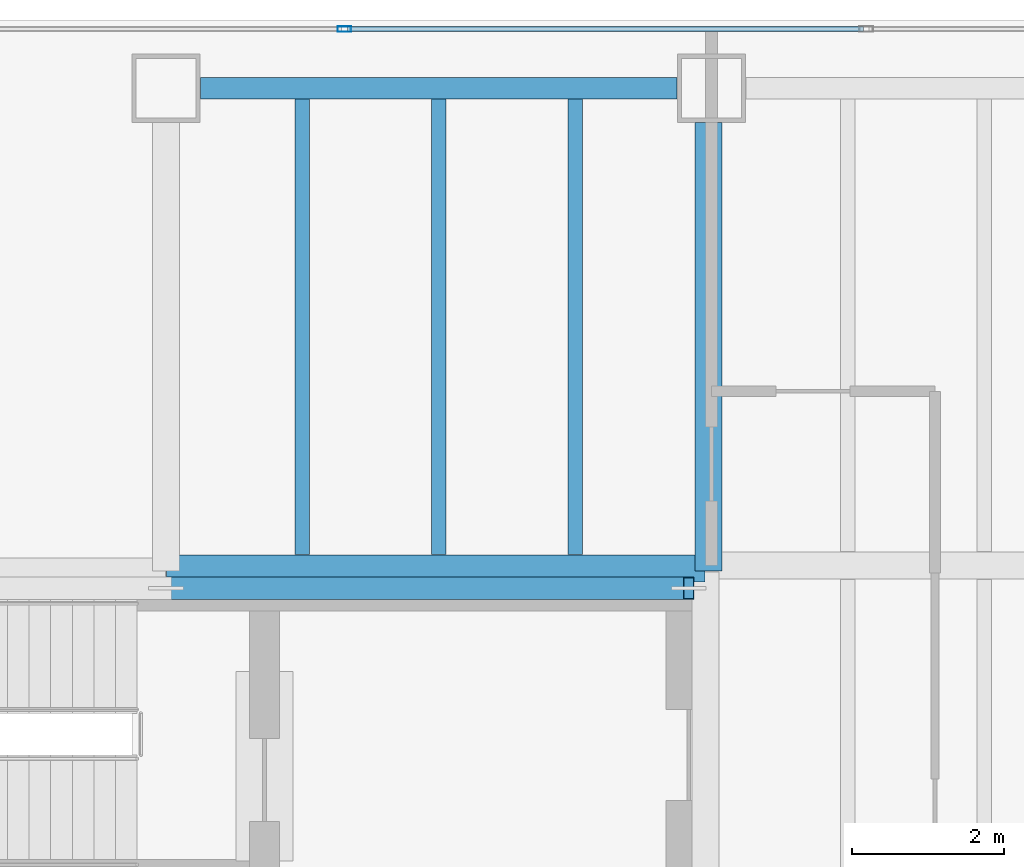
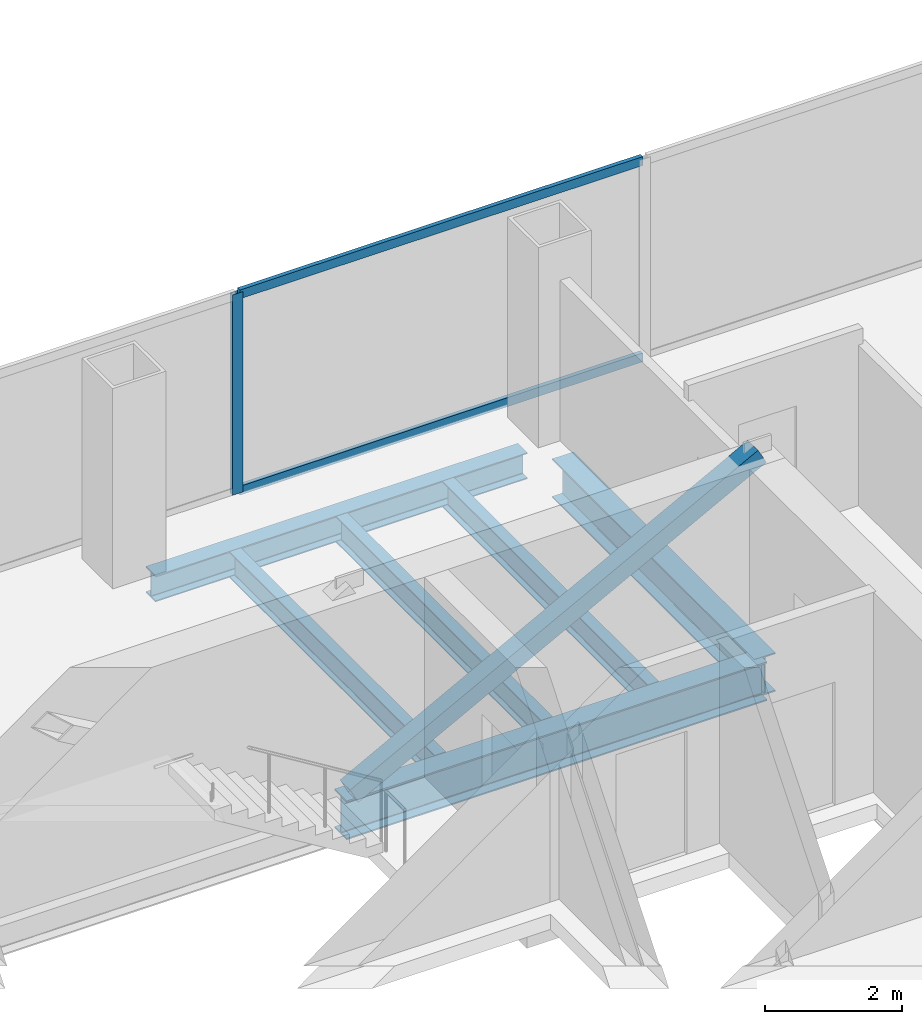
# One storey, part 17 of 23: 6 beams, 4 members, 1 element without a shape of its own.
"""IFC4 building model written with IfcOpenShell, lengths in metres."""

from ifc_helpers import new_model, si_unit, direction, frame, origin, origin_2d, place, context, subcontext, project, spatial, hollow_rectangle, i_section, extrude, material, material_profile, profile_set, type_object, element, aggregate, save


model = new_model("IFC4")

# Units and contexts
model_context = context("Model", 3, precision=1e-05, world=origin(), true_north=direction((0.0, 1.0)))
body_context = subcontext(model_context, "Body", "Model", "MODEL_VIEW")
ifc_project = project(units=[si_unit("LENGTHUNIT", "METRE"), si_unit("AREAUNIT", "SQUARE_METRE"), si_unit("VOLUMEUNIT", "CUBIC_METRE"), si_unit("PLANEANGLEUNIT", "RADIAN"), si_unit("MASSUNIT", "GRAM", prefix="KILO")], contexts=[model_context])

# Site, building, storey
site_placement = place(None, origin())
site = spatial("IfcSite", under=ifc_project, at=site_placement, CompositionType="ELEMENT")
building_placement = place(site_placement, origin())
building = spatial("IfcBuilding", under=site, at=building_placement, Name="Cobrela Telecom Tower", CompositionType="ELEMENT")
storey_placement = place(building_placement, frame((0.0, 0.0, 129.14990234375)))
storey = spatial("IfcBuildingStorey", under=building, at=storey_placement, Name="L32", CompositionType="ELEMENT", Elevation=129.14990234375)

# Beams
ifc_material_1 = material(Name="Steel ASTM A992 Grade 50", Category="steel")
ifc_material_profile_1 = material_profile(ifc_material_1, i_section(OverallWidth=0.35595703125, OverallDepth=0.696044921875, WebThickness=0.015380859375, FlangeThickness=0.024658203125, FilletRadius=0.01806640625, at=origin_2d()), Name="W27X146")
ifc_profile_set_1 = profile_set([ifc_material_profile_1], Name="Steel ASTM A992 Grade 50")
beam_type_1 = type_object("IfcBeamType", Name="BM-GIRD-05", PredefinedType="USERDEFINED", material=ifc_profile_set_1)
beam_1_placement = place(storey_placement, frame((7.205078125, 35.9599609375, -0.617919921875), z_axis=(1.0, 0.0, 0.0), x_axis=(0.0, 1.0, 0.0)))
element("IfcBeam", 1, at=beam_1_placement, inside=storey, type_object=beam_type_1, Name="L32 Primary Girder X26", ObjectType="GIRDER", PredefinedType="USERDEFINED", context=body_context, shape_type="SweptSolid", body=[
    extrude(i_section(OverallWidth=0.35595703125, OverallDepth=0.696044921875, WebThickness=0.015380859375, FlangeThickness=0.024658203125, FilletRadius=0.01806640625, at=origin_2d()), origin(), (0.0, 0.0, 1.0), 7.10986328125),
])
beam_2_placement = place(storey_placement, frame((14.360107421875, 35.925048828125, -0.617919921875), z_axis=(0.0, 1.0, 0.0), x_axis=(-1.0, 0.0, 0.0)))
element("IfcBeam", 2, at=beam_2_placement, inside=storey, type_object=beam_type_1, Name="L32 Primary Girder Y38", ObjectType="GIRDER", PredefinedType="USERDEFINED", context=body_context, shape_type="SweptSolid", body=[
    extrude(i_section(OverallWidth=0.35595703125, OverallDepth=0.696044921875, WebThickness=0.015380859375, FlangeThickness=0.024658203125, FilletRadius=0.01806640625, at=origin_2d()), origin(), (0.0, 0.0, 1.0), 5.919921875),
])
ifc_material_profile_2 = material_profile(ifc_material_1, i_section(OverallWidth=0.193115234375, OverallDepth=0.467041015625, WebThickness=0.011474609375, FlangeThickness=0.01904296875, FilletRadius=0.012939453125, at=origin_2d()), Name="W18X65")
ifc_profile_set_2 = profile_set([ifc_material_profile_2], Name="Steel ASTM A992 Grade 50")
beam_type_2 = type_object("IfcBeamType", Name="BM-JOIST-03", PredefinedType="JOIST", material=ifc_profile_set_2)
for number, where, z_axis, x_axis, name in (
    (3, (9.0, 36.14306640625, -0.50341796875), (0.0, 1.0, 0.0), (-1.0, 0.0, 0.0), "L32 Secondary Composite Floor Beam J01"),
    (4, (10.800048828125, 36.14306640625, -0.50341796875), (0.0, 1.0, 0.0), (-1.0, 0.0, 0.0), "L32 Secondary Composite Floor Beam J02"),
    (5, (12.60009765625, 36.14306640625, -0.50341796875), (0.0, 1.0, 0.0), (-1.0, 0.0, 0.0), "L32 Secondary Composite Floor Beam J03"),
):
    element("IfcBeam", number, at=place(storey_placement, frame(where, z_axis=z_axis, x_axis=x_axis)), inside=storey, type_object=beam_type_2, Name=name, PredefinedType="JOIST", context=body_context, shape_type="SweptSolid", body=[
        extrude(i_section(OverallWidth=0.193115234375, OverallDepth=0.467041015625, WebThickness=0.011474609375, FlangeThickness=0.01904296875, FilletRadius=0.012939453125, at=origin_2d()), origin(), (0.0, 0.0, 1.0), 6.010986328125),
    ])
ifc_material_profile_3 = material_profile(ifc_material_1, i_section(OverallWidth=0.281982421875, OverallDepth=0.467041015625, WebThickness=0.01220703125, FlangeThickness=0.01953125, FilletRadius=0.012939453125, at=origin_2d()), Name="W18X86")
ifc_profile_set_3 = profile_set([ifc_material_profile_3], Name="Steel ASTM A992 Grade 50")
beam_type_3 = type_object("IfcBeamType", Name="BM-SPAND-04", PredefinedType="SPANDREL", material=ifc_profile_set_3)
beam_3_placement = place(storey_placement, frame((7.655029296875, 42.300048828125, -0.50341796875), z_axis=(1.0, 0.0, 0.0), x_axis=(0.0, 1.0, 0.0)))
element("IfcBeam", 6, at=beam_3_placement, inside=storey, type_object=beam_type_3, Name="L32 Perimeter Spandrel X29", PredefinedType="SPANDREL", context=body_context, shape_type="SweptSolid", body=[
    extrude(i_section(OverallWidth=0.281982421875, OverallDepth=0.467041015625, WebThickness=0.01220703125, FlangeThickness=0.01953125, FilletRadius=0.012939453125, at=origin_2d()), origin(), (0.0, 0.0, 1.0), 6.2900390625),
])

# Curtain wall, members
ifc_material_2 = material(Name="Anodized Bronze Aluminium 6063-T6", Category="aluminium")
curtain_wall_type = type_object("IfcCurtainWallType", Name="CW-SYS-TEL", PredefinedType="USERDEFINED", material=ifc_material_2)
curtain_wall_placement = place(storey_placement, origin())
curtain_wall = element("IfcCurtainWall", 7, at=curtain_wall_placement, inside=storey, type_object=curtain_wall_type, Name="L32 Unitised Bronze Curtain Wall 07", ObjectType="UNITISED CURTAIN WALL", PredefinedType="USERDEFINED")
ifc_material_profile_4 = material_profile(ifc_material_2, hollow_rectangle(XDim=0.074951171875, YDim=0.179931640625, WallThickness=0.00390625, at=origin_2d()), Name="ALU 75x180x4")
ifc_profile_set_4 = profile_set([ifc_material_profile_4], Name="Anodized Bronze Aluminium 6063-T6")
member_type_1 = type_object("IfcMemberType", Name="CW-SYS-TEL-MUL", PredefinedType="MULLION", material=ifc_profile_set_4)
member_1_placement = place(storey_placement, frame((9.556640625, 43.080078125, 0.0), z_axis=(0.0, 0.0, 1.0), x_axis=(0.0, 1.0, 0.0)))
member_1 = element("IfcMember", 8, at=member_1_placement, type_object=member_type_1, Name="CW-TEL mullion 2", PredefinedType="MULLION", context=body_context, shape_type="SweptSolid", body=[
    extrude(hollow_rectangle(XDim=0.074951171875, YDim=0.179931640625, WallThickness=0.00390625, at=origin_2d()), origin(), (0.0, 0.0, 1.0), 3.580078125),
])
ifc_material_profile_5 = material_profile(ifc_material_2, hollow_rectangle(XDim=0.070068359375, YDim=0.159912109375, WallThickness=0.00390625, at=origin_2d()), Name="ALU 70x160x4")
ifc_profile_set_5 = profile_set([ifc_material_profile_5], Name="Anodized Bronze Aluminium 6063-T6")
member_type_2 = type_object("IfcMemberType", Name="CW-SYS-TEL-TRN", PredefinedType="USERDEFINED", material=ifc_profile_set_5)
member_2_placement = place(storey_placement, frame((9.59423828125, 43.080078125, 0.03515625), z_axis=(1.0, 0.0, 0.0), x_axis=(0.0, 1.0, 0.0)))
member_2 = element("IfcMember", 9, at=member_2_placement, type_object=member_type_2, Name="CW-TEL transom 2.1", ObjectType="TRANSOM", PredefinedType="USERDEFINED", context=body_context, shape_type="SweptSolid", body=[
    extrude(hollow_rectangle(XDim=0.070068359375, YDim=0.159912109375, WallThickness=0.00390625, at=origin_2d()), origin(), (0.0, 0.0, 1.0), 6.8115234375),
])
member_3_placement = place(storey_placement, frame((9.59423828125, 43.080078125, 3.545166015625), z_axis=(1.0, 0.0, 0.0), x_axis=(0.0, 1.0, 0.0)))
member_3 = element("IfcMember", 10, at=member_3_placement, type_object=member_type_2, Name="CW-TEL transom 2.2", ObjectType="TRANSOM", PredefinedType="USERDEFINED", context=body_context, shape_type="SweptSolid", body=[
    extrude(hollow_rectangle(XDim=0.070068359375, YDim=0.159912109375, WallThickness=0.00390625, at=origin_2d()), origin(), (0.0, 0.0, 1.0), 6.8115234375),
])
aggregate(curtain_wall, [member_1, member_2, member_3])

# Member
ifc_material_3 = material(Name="Steel ASTM A572 Grade 50", Category="steel")
ifc_material_profile_6 = material_profile(ifc_material_3, hollow_rectangle(XDim=0.300048828125, YDim=0.300048828125, WallThickness=0.01611328125, at=origin_2d()), Name="HSS 300x300x16")
ifc_profile_set_6 = profile_set([ifc_material_profile_6], Name="Steel ASTM A572 Grade 50")
member_type_3 = type_object("IfcMemberType", Name="MBR-EXO-03", PredefinedType="BRACE", material=ifc_profile_set_6)
member_4_placement = place(storey_placement, frame((7.199951171875, 35.699951171875, -0.039794921875), z_axis=(0.883422698386, 0.0, 0.468576926423), x_axis=(0.0, 1.0, 0.0)))
element("IfcMember", 11, at=member_4_placement, inside=storey, type_object=member_type_3, Name="L32 Core Flange Steel Brace N2", PredefinedType="BRACE", context=body_context, shape_type="SweptSolid", body=[
    extrude(hollow_rectangle(XDim=0.300048828125, YDim=0.300048828125, WallThickness=0.01611328125, at=origin_2d()), origin(), (0.0, 0.0, 1.0), 7.810791015625),
])

save(model, "model.ifc")
